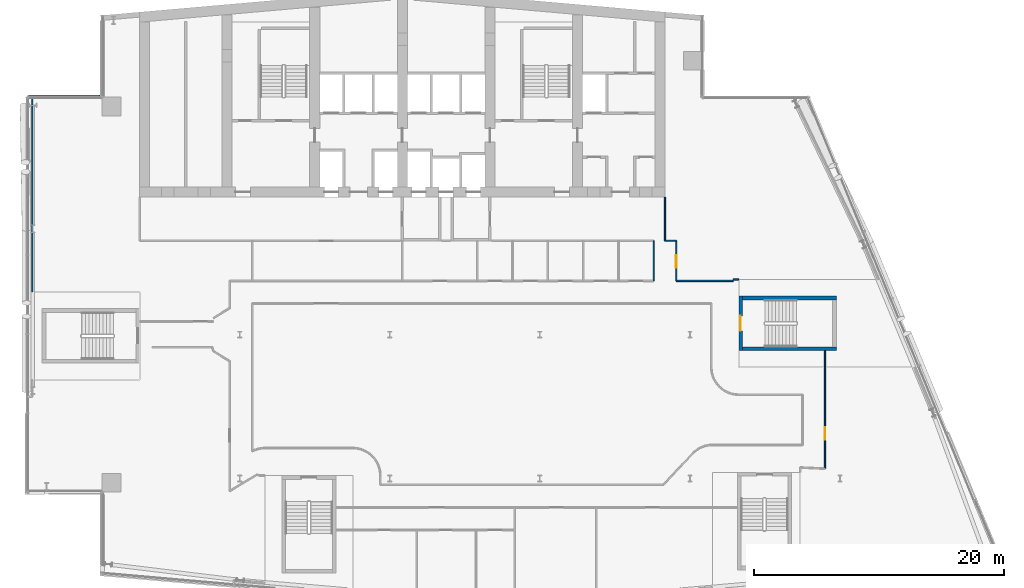
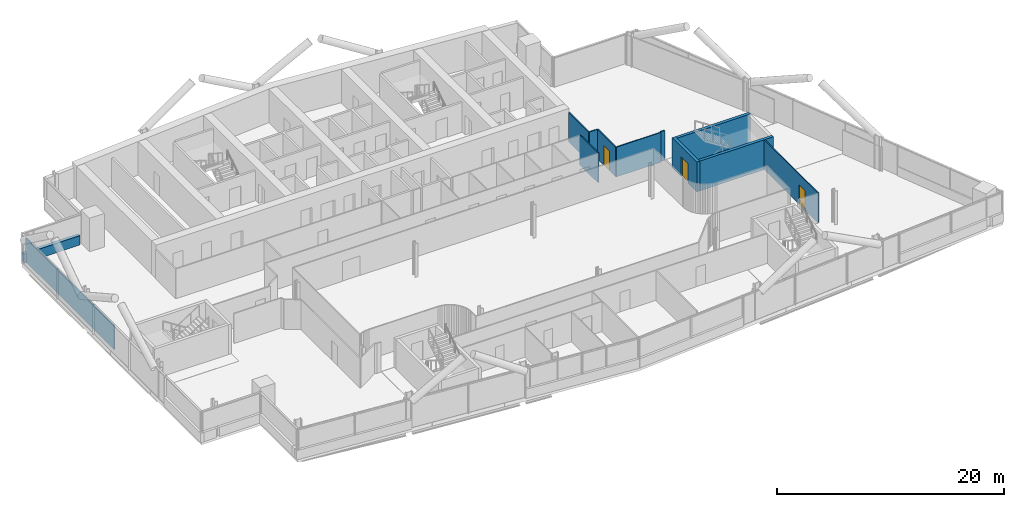
# One storey, part 19 of 29: 12 walls, 3 doors, 3 openings.
"""IFC4 building model written with IfcOpenShell, lengths in metres."""

from ifc_helpers import new_model, si_unit, direction, frame, frame_2d, origin, place, context, subcontext, project, spatial, rectangle, extrude, material, layer, layer_set, type_object, element, fill, save


model = new_model("IFC4")

# Units and contexts
model_context = context("Model", 3, precision=1e-05, world=origin(), true_north=direction((0.0, 1.0)))
body_context = subcontext(model_context, "Body", "Model", "MODEL_VIEW")
ifc_project = project(units=[si_unit("LENGTHUNIT", "METRE"), si_unit("AREAUNIT", "SQUARE_METRE"), si_unit("VOLUMEUNIT", "CUBIC_METRE"), si_unit("PLANEANGLEUNIT", "RADIAN"), si_unit("MASSUNIT", "GRAM", prefix="KILO")], contexts=[model_context])

# Site, building, storey
site_placement = place(None, origin())
site = spatial("IfcSite", under=ifc_project, at=site_placement, CompositionType="ELEMENT")
building_placement = place(site_placement, origin())
building = spatial("IfcBuilding", under=site, at=building_placement, Name="Wharfspan Tower", CompositionType="ELEMENT")
storey_placement = place(building_placement, frame((0.0, 0.0, 162.699951)))
storey = spatial("IfcBuildingStorey", under=building, at=storey_placement, Name="L39", CompositionType="ELEMENT", Elevation=162.699951)

# Walls
ifc_material_1 = material(Name="Gypsum board on steel studs", Category="steel")
ifc_layer_1 = layer(ifc_material_1, 0.100098)
ifc_layer_set_1 = layer_set([ifc_layer_1], Name="Gypsum board on steel studs")
wall_type_1 = type_object("IfcWallType", Name="Compartment wall 100 EI 60", PredefinedType="PARTITIONING", material=ifc_layer_set_1)
wall_1_placement = place(storey_placement, frame((57.100098, 27.300049, 0.0), z_axis=(0.0, 0.0, 1.0), x_axis=(0.0, 1.0, 0.0)))
element("IfcWall", 1, at=wall_1_placement, inside=storey, type_object=wall_type_1, Name="Partition L39.w062", PredefinedType="PARTITIONING", context=body_context, shape_type="SweptSolid", body=[
    extrude(rectangle(XDim=3.199951, YDim=0.100098, at=frame_2d((1.600098, 0.0))), origin(), (0.0, 0.0, 1.0), 3.199951),
])
wall_2_placement = place(storey_placement, frame((58.0, 30.5, 0.0), z_axis=(0.0, 0.0, 1.0), x_axis=(0.0, 1.0, 0.0)))
element("IfcWall", 2, at=wall_2_placement, inside=storey, type_object=wall_type_1, Name="Partition L39.w064", PredefinedType="PARTITIONING", context=body_context, shape_type="SweptSolid", body=[
    extrude(rectangle(XDim=3.47998, YDim=0.100098, at=frame_2d((1.73999, 0.0))), origin(), (0.0, 0.0, 1.0), 3.199951),
])
wall_3_placement = place(storey_placement, frame((58.0, 30.5, 0.0), z_axis=(0.0, 0.0, 1.0), x_axis=(1.0, 0.0, 0.0)))
element("IfcWall", 3, at=wall_3_placement, inside=storey, type_object=wall_type_1, Name="Partition L39.w065", PredefinedType="PARTITIONING", context=body_context, shape_type="SweptSolid", body=[
    extrude(rectangle(XDim=0.899902, YDim=0.100098, at=frame_2d((0.449951, 0.0))), origin(), (0.0, 0.0, 1.0), 3.199951),
])

# Wall, opening, door
wall_4_placement = place(storey_placement, frame((58.899902, 27.300049, 0.0), z_axis=(0.0, 0.0, 1.0), x_axis=(0.0, 1.0, 0.0)))
wall_4 = element("IfcWall", 4, at=wall_4_placement, inside=storey, type_object=wall_type_1, Name="Partition L39.w067", PredefinedType="PARTITIONING", context=body_context, shape_type="SweptSolid", body=[
    extrude(rectangle(XDim=3.199951, YDim=0.100098, at=frame_2d((1.600098, 0.0))), origin(), (0.0, 0.0, 1.0), 3.199951),
])
opening_1_placement = place(wall_4_placement, frame((1.044922, 0.0, 0.0)))
opening_1 = element("IfcOpeningElement", 5, at=opening_1_placement, cuts=wall_4, Name="Opening C2-17", PredefinedType="OPENING", context=body_context, shape_type="SweptSolid", body=[
    extrude(rectangle(XDim=1.0, YDim=2.100098, at=frame_2d((0.5, 1.050049))), frame((0.0, 0.060059, 0.0), z_axis=(0.0, -1.0, 0.0), x_axis=(1.0, 0.0, 0.0)), (0.0, 0.0, 1.0), 0.120117),
])
ifc_material_2 = material(Name="Fire-rated timber door leaf in steel frame", Category="steel")
door_type_1 = type_object("IfcDoorType", Name="Door 1000 FD30S Left", OperationType="SINGLE_SWING_LEFT", PredefinedType="DOOR", material=ifc_material_2)
door_1_placement = place(opening_1_placement, origin())
door_1 = element("IfcDoor", 6, at=door_1_placement, inside=storey, type_object=door_type_1, Name="Door C2-17", OperationType="SINGLE_SWING_LEFT", OverallHeight=2.100098, OverallWidth=1.0, PredefinedType="DOOR", context=body_context, shape_type="SweptSolid", body=[
    extrude(rectangle(XDim=1.0, YDim=2.100098, at=frame_2d((0.5, 1.050049))), frame((0.0, 0.024902, 0.0), z_axis=(0.0, -1.0, 0.0), x_axis=(1.0, 0.0, 0.0)), (0.0, 0.0, 1.0), 0.050049),
])
fill(opening_1, door_1)

# Walls
wall_5_placement = place(storey_placement, frame((58.899902, 27.300049, 0.0), z_axis=(0.0, 0.0, 1.0), x_axis=(1.0, 0.0, 0.0)))
element("IfcWall", 7, at=wall_5_placement, inside=storey, type_object=wall_type_1, Name="Partition L39.w068", PredefinedType="PARTITIONING", context=body_context, shape_type="SweptSolid", body=[
    extrude(rectangle(XDim=4.555176, YDim=0.100098, at=frame_2d((2.277588, 0.0))), origin(), (0.0, 0.0, 1.0), 3.199951),
])
wall_6_placement = place(storey_placement, frame((63.455078, 27.399902, 0.0), z_axis=(0.0, 0.0, 1.0), x_axis=(1.0, 0.0, 0.0)))
element("IfcWall", 8, at=wall_6_placement, inside=storey, type_object=wall_type_1, Name="Partition L39.w092", PredefinedType="PARTITIONING", context=body_context, shape_type="SweptSolid", body=[
    extrude(rectangle(XDim=0.429443, YDim=0.100098, at=frame_2d((0.214844, 0.0))), origin(), (0.0, 0.0, 1.0), 3.199951),
])

# Wall, opening, door
wall_7_placement = place(storey_placement, frame((70.800049, 12.284912, 0.0), z_axis=(0.0, 0.0, 1.0), x_axis=(0.0, 1.0, 0.0)))
wall_7 = element("IfcWall", 9, at=wall_7_placement, inside=storey, type_object=wall_type_1, Name="Partition L39.w102", PredefinedType="PARTITIONING", context=body_context, shape_type="SweptSolid", body=[
    extrude(rectangle(XDim=9.440186, YDim=0.100098, at=frame_2d((4.720215, 0.0))), origin(), (0.0, 0.0, 1.0), 3.199951),
])
opening_2_placement = place(wall_7_placement, frame((2.307617, 0.0, 0.0)))
opening_2 = element("IfcOpeningElement", 10, at=opening_2_placement, cuts=wall_7, Name="Opening C2-08", PredefinedType="OPENING", context=body_context, shape_type="SweptSolid", body=[
    extrude(rectangle(XDim=1.0, YDim=2.100098, at=frame_2d((0.5, 1.050049))), frame((0.0, 0.060059, 0.0), z_axis=(0.0, -1.0, 0.0), x_axis=(1.0, 0.0, 0.0)), (0.0, 0.0, 1.0), 0.120117),
])
door_2_placement = place(opening_2_placement, origin())
door_2 = element("IfcDoor", 11, at=door_2_placement, inside=storey, type_object=door_type_1, Name="Door C2-08", OperationType="SINGLE_SWING_LEFT", OverallHeight=2.100098, OverallWidth=1.0, PredefinedType="DOOR", context=body_context, shape_type="SweptSolid", body=[
    extrude(rectangle(XDim=1.0, YDim=2.100098, at=frame_2d((0.5, 1.050049))), frame((0.0, 0.024902, 0.0), z_axis=(0.0, -1.0, 0.0), x_axis=(1.0, 0.0, 0.0)), (0.0, 0.0, 1.0), 0.050049),
])
fill(opening_2, door_2)

# Walls
ifc_layer_2 = layer(ifc_material_1, 0.100098)
ifc_layer_set_2 = layer_set([ifc_layer_2], Name="Gypsum board on steel studs")
wall_type_2 = type_object("IfcWallType", Name="Partition 100", PredefinedType="PARTITIONING", material=ifc_layer_set_2)
wall_8_placement = place(storey_placement, frame((7.419922, 26.419922, 0.0), z_axis=(0.0, 0.0, 1.0), x_axis=(0.0, 1.0, 0.0)))
element("IfcWall", 12, at=wall_8_placement, inside=storey, type_object=wall_type_2, Name="Partition L39.w003", PredefinedType="PARTITIONING", context=body_context, shape_type="SweptSolid", body=[
    extrude(rectangle(XDim=15.560059, YDim=0.100098, at=frame_2d((7.780029, 0.0))), origin(), (0.0, 0.0, 1.0), 2.580078),
])
ifc_material_3 = material(Name="Concrete C40/50", Category="concrete")
ifc_layer_3 = layer(ifc_material_3, 0.350098)
ifc_layer_set_3 = layer_set([ifc_layer_3], Name="Concrete C40/50")
wall_type_3 = type_object("IfcWallType", Name="SPANDREL EXPOSED CONCRETE 350", PredefinedType="SOLIDWALL", material=ifc_layer_set_3)
wall_9_placement = place(storey_placement, frame((12.820068, 42.004883, 0.0), z_axis=(0.0, 0.0, 1.0), x_axis=(-1.0, 0.0, 0.0)))
element("IfcWall", 13, at=wall_9_placement, inside=storey, type_object=wall_type_3, Name="Spandrel upstand L39 NRW-H", PredefinedType="SOLIDWALL", context=body_context, shape_type="SweptSolid", body=[
    extrude(rectangle(XDim=5.699951, YDim=0.350098, at=frame_2d((2.850098, 0.0))), origin(), (0.0, 0.0, 1.0), 1.0),
])

# Wall, opening, door
ifc_layer_4 = layer(ifc_material_3, 0.300049)
ifc_layer_set_4 = layer_set([ifc_layer_4], Name="Concrete C40/50")
wall_type_4 = type_object("IfcWallType", Name="Stair core wall 300", PredefinedType="SHEAR", material=ifc_layer_set_4)
wall_10_placement = place(storey_placement, frame((64.054688, 21.725098, 0.0), z_axis=(0.0, 0.0, 1.0), x_axis=(0.0, 1.0, 0.0)))
wall_10 = element("IfcWall", 14, at=wall_10_placement, inside=storey, type_object=wall_type_4, Name="ST6 stair enclosure wall L39", PredefinedType="SHEAR", context=body_context, shape_type="SweptSolid", body=[
    extrude(rectangle(XDim=4.349854, YDim=0.300049, at=frame_2d((2.174805, 0.0))), origin(), (0.0, 0.0, 1.0), 3.199951),
])
opening_3_placement = place(wall_10_placement, frame((1.574951, 0.0, 0.0)))
opening_3 = element("IfcOpeningElement", 15, at=opening_3_placement, cuts=wall_10, Name="Opening SD6.L39", PredefinedType="OPENING", context=body_context, shape_type="SweptSolid", body=[
    extrude(rectangle(XDim=1.199951, YDim=2.100098, at=frame_2d((0.600098, 1.050049))), frame((0.0, 0.159912, 0.0), z_axis=(0.0, -1.0, 0.0), x_axis=(1.0, 0.0, 0.0)), (0.0, 0.0, 1.0), 0.320068),
])
ifc_material_4 = material(Name="Steel door leaf", Category="steel")
door_type_2 = type_object("IfcDoorType", Name="Stair door 1200x2100", OperationType="SINGLE_SWING_LEFT", PredefinedType="DOOR", material=ifc_material_4)
door_3_placement = place(opening_3_placement, origin())
door_3 = element("IfcDoor", 16, at=door_3_placement, inside=storey, type_object=door_type_2, Name="sd:L39:ST6z3", OperationType="SINGLE_SWING_RIGHT", OverallHeight=2.100098, OverallWidth=1.199951, PredefinedType="DOOR", context=body_context, shape_type="SweptSolid", body=[
    extrude(rectangle(XDim=1.199951, YDim=2.100098, at=frame_2d((0.600098, 1.050049))), frame((0.0, 0.024902, 0.0), z_axis=(0.0, -1.0, 0.0), x_axis=(1.0, 0.0, 0.0)), (0.0, 0.0, 1.0), 0.050049),
])
fill(opening_3, door_3)

# Walls
for number, where, z_axis, x_axis, name in (
    (17, (64.20459, 21.875, 0.0), (0.0, 0.0, 1.0), (1.0, 0.0, 0.0), "ST6 stair enclosure wall L39"),
    (18, (64.20459, 25.925049, 0.0), (0.0, 0.0, 1.0), (1.0, 0.0, 0.0), "ST6 stair enclosure wall L39"),
):
    element("IfcWall", number, at=place(storey_placement, frame(where, z_axis=z_axis, x_axis=x_axis)), inside=storey, type_object=wall_type_4, Name=name, PredefinedType="SHEAR", context=body_context, shape_type="SweptSolid", body=[
        extrude(rectangle(XDim=7.5, YDim=0.300049, at=frame_2d((3.75, 0.0))), origin(), (0.0, 0.0, 1.0), 3.199951),
    ])

save(model, "model.ifc")
